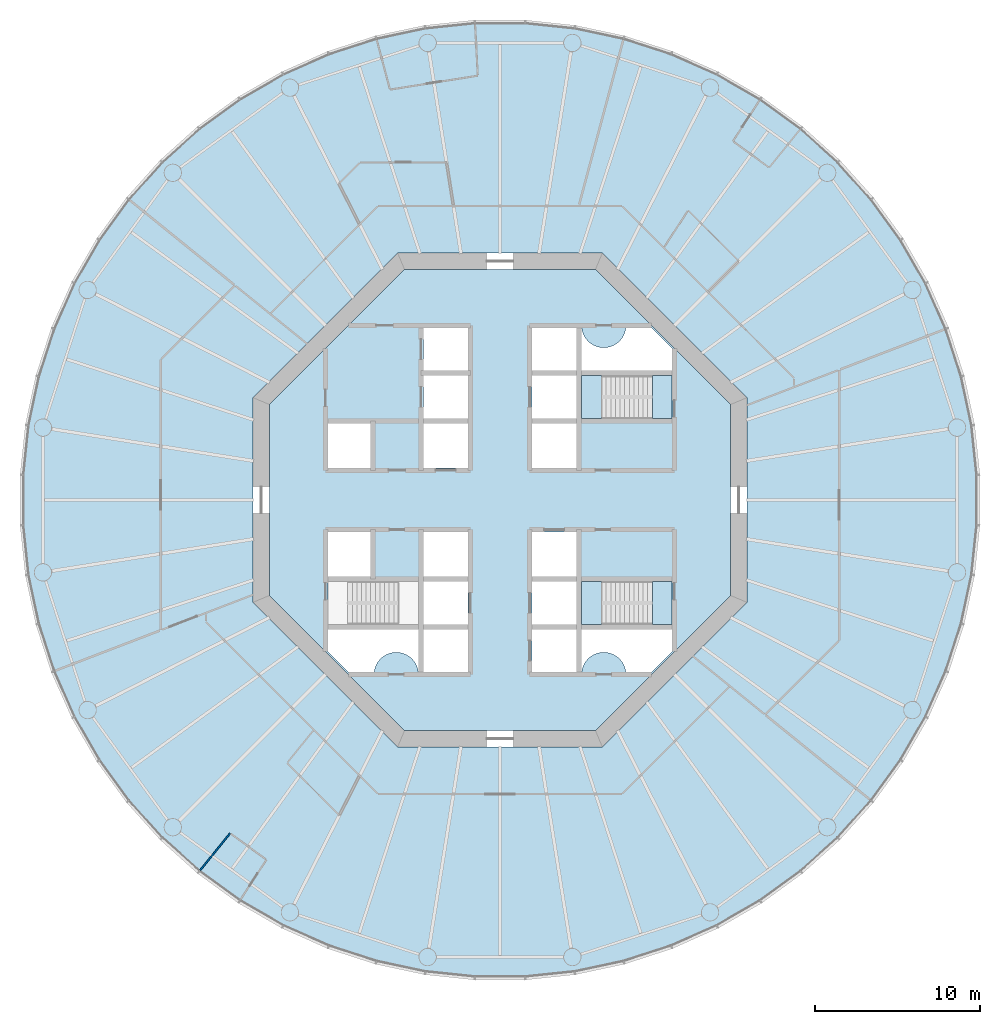
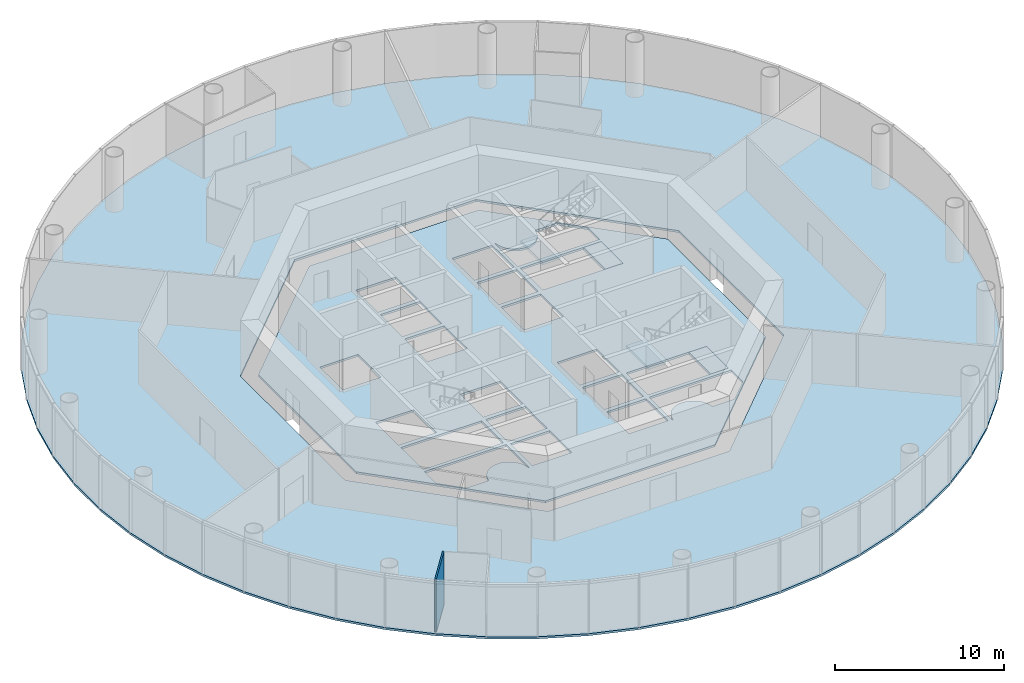
# One storey, part 2 of 12: 6 slabs, 1 wall, 2 elements without a shape of their own.
"""IFC4 building model written with IfcOpenShell, lengths in metres."""

from ifc_helpers import new_model, si_unit, direction, frame, frame_2d, origin, place, context, subcontext, project, spatial, polyline, rectangle, outline, extrude, material, layer, layer_set, type_object, element, aggregate, save


model = new_model("IFC4")

# Units and contexts
model_context = context("Model", 3, precision=1e-05, world=origin(), true_north=direction((0.0, 1.0)))
body_context = subcontext(model_context, "Body", "Model", "MODEL_VIEW")
ifc_project = project(units=[si_unit("LENGTHUNIT", "METRE"), si_unit("AREAUNIT", "SQUARE_METRE"), si_unit("VOLUMEUNIT", "CUBIC_METRE"), si_unit("PLANEANGLEUNIT", "RADIAN"), si_unit("MASSUNIT", "GRAM", prefix="KILO")], contexts=[model_context])

# Site, building, storey
site_placement = place(None, origin())
site = spatial("IfcSite", under=ifc_project, at=site_placement, CompositionType="ELEMENT")
building_placement = place(site_placement, origin())
building = spatial("IfcBuilding", under=site, at=building_placement, Name="Entoto Ring Tower", CompositionType="ELEMENT")
storey_placement = place(building_placement, frame((0.0, 0.0, 152.0)))
storey = spatial("IfcBuildingStorey", under=building, at=storey_placement, Name="L34", CompositionType="ELEMENT", Elevation=152.0)

# Slabs
ifc_material_1 = material(Name="Concrete C30/37", Category="concrete")
ifc_layer_1 = layer(ifc_material_1, 0.14990234375)
ifc_layer_set_1 = layer_set([ifc_layer_1], Name="Concrete C30/37")
slab_type_1 = type_object("IfcSlabType", Name="Composite floor slab 150 mm", PredefinedType="FLOOR", material=ifc_layer_set_1)
slab_1_placement = place(storey_placement, frame((0.0, 0.0, -0.14990234375)))
element("IfcSlab", 1, at=slab_1_placement, inside=storey, type_object=slab_type_1, Name="Floor slab L34", PredefinedType="FLOOR", context=body_context, shape_type="SweptSolid", body=[
    extrude(outline(polyline([(118.74169921875, 84.55224609375), (118.1083984375, 87.53173828125), (117.167236328125, 90.428466796875), (115.92822265625, 93.211181640625), (114.4052734375, 95.848876953125), (112.614990234375, 98.313232421875), (110.576904296875, 100.576904296875), (108.313232421875, 102.614990234375), (105.848876953125, 104.4052734375), (103.211181640625, 105.92822265625), (100.428466796875, 107.167236328125), (97.53173828125, 108.1083984375), (94.55224609375, 108.74169921875), (91.52294921875, 109.06005859375), (88.47705078125, 109.06005859375), (85.44775390625, 108.74169921875), (82.46826171875, 108.1083984375), (79.571533203125, 107.167236328125), (76.788818359375, 105.92822265625), (74.151123046875, 104.4052734375), (71.686767578125, 102.614990234375), (69.423095703125, 100.576904296875), (67.385009765625, 98.313232421875), (65.5947265625, 95.848876953125), (64.07177734375, 93.211181640625), (62.832763671875, 90.428466796875), (61.8916015625, 87.53173828125), (61.25830078125, 84.55224609375), (60.93994140625, 81.52294921875), (60.93994140625, 78.47705078125), (61.25830078125, 75.44775390625), (61.8916015625, 72.46826171875), (62.832763671875, 69.571533203125), (64.07177734375, 66.788818359375), (65.5947265625, 64.151123046875), (67.385009765625, 61.686767578125), (69.423095703125, 59.423095703125), (71.686767578125, 57.385009765625), (74.151123046875, 55.5947265625), (76.788818359375, 54.07177734375), (79.571533203125, 52.832763671875), (82.46826171875, 51.8916015625), (85.44775390625, 51.25830078125), (88.47705078125, 50.93994140625), (91.52294921875, 50.93994140625), (94.55224609375, 51.25830078125), (97.53173828125, 51.8916015625), (100.428466796875, 52.832763671875), (103.211181640625, 54.07177734375), (105.848876953125, 55.5947265625), (108.313232421875, 57.385009765625), (110.576904296875, 59.423095703125), (112.614990234375, 61.686767578125), (114.4052734375, 64.151123046875), (115.92822265625, 66.788818359375), (117.167236328125, 69.571533203125), (118.1083984375, 72.46826171875), (118.74169921875, 75.44775390625), (119.06005859375, 78.47705078125), (119.06005859375, 81.52294921875), (118.74169921875, 84.55224609375)]), holes=[polyline([(105.0, 73.786865234375), (105.0, 86.213134765625), (96.213134765625, 95.0), (83.786865234375, 95.0), (75.0, 86.213134765625), (75.0, 73.786865234375), (83.786865234375, 65.0), (96.213134765625, 65.0), (105.0, 73.786865234375)])]), origin(), (0.0, 0.0, 1.0), 0.14990234375),
])
ifc_material_2 = material(Name="Concrete C40/50", Category="concrete")
ifc_layer_2 = layer(ifc_material_2, 0.14990234375)
ifc_layer_set_2 = layer_set([ifc_layer_2], Name="Concrete C40/50")
slab_type_2 = type_object("IfcSlabType", Name="Core floor slab 150 mm reinforced concrete C40/50", PredefinedType="FLOOR", material=ifc_layer_set_2)
slab_2_placement = place(storey_placement, frame((0.0, 0.0, -0.14990234375)))
element("IfcSlab", 2, at=slab_2_placement, inside=storey, type_object=slab_type_2, Name="Core floor L34", PredefinedType="FLOOR", context=body_context, shape_type="SweptSolid", body=[
    extrude(outline(polyline([(104.0, 74.200927734375), (104.0, 85.799072265625), (95.799072265625, 94.0), (84.200927734375, 94.0), (76.0, 85.799072265625), (76.0, 74.200927734375), (84.200927734375, 66.0), (95.799072265625, 66.0), (104.0, 74.200927734375)]), holes=[polyline([(100.449951171875, 84.949951171875), (100.449951171875, 87.550048828125), (94.949951171875, 87.550048828125), (94.949951171875, 84.949951171875), (100.449951171875, 84.949951171875)]), polyline([(85.050048828125, 72.449951171875), (85.050048828125, 75.050048828125), (79.550048828125, 75.050048828125), (79.550048828125, 72.449951171875), (85.050048828125, 72.449951171875)]), polyline([(100.449951171875, 72.449951171875), (100.449951171875, 75.050048828125), (94.949951171875, 75.050048828125), (94.949951171875, 72.449951171875), (100.449951171875, 72.449951171875)]), polyline([(91.949951171875, 84.949951171875), (94.64990234375, 84.949951171875), (94.64990234375, 87.550048828125), (91.949951171875, 87.550048828125), (91.949951171875, 84.949951171875)]), polyline([(91.949951171875, 72.449951171875), (94.64990234375, 72.449951171875), (94.64990234375, 75.050048828125), (91.949951171875, 75.050048828125), (91.949951171875, 72.449951171875)]), polyline([(91.949951171875, 69.550048828125), (94.64990234375, 69.550048828125), (94.64990234375, 72.14990234375), (91.949951171875, 72.14990234375), (91.949951171875, 69.550048828125)]), polyline([(85.35009765625, 72.449951171875), (88.050048828125, 72.449951171875), (88.050048828125, 75.050048828125), (85.35009765625, 75.050048828125), (85.35009765625, 72.449951171875)]), polyline([(85.35009765625, 81.949951171875), (88.050048828125, 81.949951171875), (88.050048828125, 84.64990234375), (85.35009765625, 84.64990234375), (85.35009765625, 81.949951171875)]), polyline([(91.949951171875, 75.35009765625), (94.64990234375, 75.35009765625), (94.64990234375, 78.050048828125), (91.949951171875, 78.050048828125), (91.949951171875, 75.35009765625)]), polyline([(79.550048828125, 81.949951171875), (82.14990234375, 81.949951171875), (82.14990234375, 84.64990234375), (79.550048828125, 84.64990234375), (79.550048828125, 81.949951171875)]), polyline([(79.550048828125, 75.35009765625), (82.14990234375, 75.35009765625), (82.14990234375, 78.050048828125), (79.550048828125, 78.050048828125), (79.550048828125, 75.35009765625)]), polyline([(91.949951171875, 87.85009765625), (94.64990234375, 87.85009765625), (94.64990234375, 90.449951171875), (91.949951171875, 90.449951171875), (91.949951171875, 87.85009765625)]), polyline([(85.35009765625, 69.550048828125), (88.050048828125, 69.550048828125), (88.050048828125, 72.14990234375), (85.35009765625, 72.14990234375), (85.35009765625, 69.550048828125)]), polyline([(91.949951171875, 81.949951171875), (94.64990234375, 81.949951171875), (94.64990234375, 84.64990234375), (91.949951171875, 84.64990234375), (91.949951171875, 81.949951171875)]), polyline([(85.35009765625, 75.35009765625), (88.050048828125, 75.35009765625), (88.050048828125, 78.050048828125), (85.35009765625, 78.050048828125), (85.35009765625, 75.35009765625)]), polyline([(85.35009765625, 84.949951171875), (88.050048828125, 84.949951171875), (88.050048828125, 87.550048828125), (85.35009765625, 87.550048828125), (85.35009765625, 84.949951171875)]), polyline([(85.35009765625, 87.85009765625), (88.050048828125, 87.85009765625), (88.050048828125, 90.449951171875), (85.35009765625, 90.449951171875), (85.35009765625, 87.85009765625)]), polyline([(94.89990234375, 90.5), (94.89990234375, 87.800048828125), (100.5, 87.800048828125), (100.5, 89.15771484375), (99.15771484375, 90.5), (97.64501953125, 90.5), (97.6435546875, 90.4677734375), (97.6240234375, 90.336669921875), (97.591796875, 90.2080078125), (97.547119140625, 90.08349609375), (97.490478515625, 89.963623046875), (97.422607421875, 89.85009765625), (97.343505859375, 89.74365234375), (97.254638671875, 89.6455078125), (97.156494140625, 89.556396484375), (97.050048828125, 89.4775390625), (96.936279296875, 89.409423828125), (96.816650390625, 89.352783203125), (96.69189453125, 89.30810546875), (96.5634765625, 89.27587890625), (96.432373046875, 89.256591796875), (96.300048828125, 89.25), (96.167724609375, 89.256591796875), (96.03662109375, 89.27587890625), (95.908203125, 89.30810546875), (95.783447265625, 89.352783203125), (95.66357421875, 89.409423828125), (95.550048828125, 89.4775390625), (95.443603515625, 89.556396484375), (95.345458984375, 89.6455078125), (95.25634765625, 89.74365234375), (95.177490234375, 89.85009765625), (95.109375, 89.963623046875), (95.052734375, 90.08349609375), (95.008056640625, 90.2080078125), (94.975830078125, 90.336669921875), (94.95654296875, 90.4677734375), (94.954833984375, 90.5), (94.89990234375, 90.5)]), polyline([(79.5, 70.84228515625), (80.84228515625, 69.5), (82.35498046875, 69.5), (82.3564453125, 69.5322265625), (82.3759765625, 69.663330078125), (82.408203125, 69.7919921875), (82.452880859375, 69.91650390625), (82.509521484375, 70.036376953125), (82.577392578125, 70.14990234375), (82.656494140625, 70.25634765625), (82.745361328125, 70.3544921875), (82.843505859375, 70.443603515625), (82.949951171875, 70.5224609375), (83.063720703125, 70.590576171875), (83.183349609375, 70.647216796875), (83.30810546875, 70.69189453125), (83.4365234375, 70.72412109375), (83.567626953125, 70.743408203125), (83.699951171875, 70.75), (83.832275390625, 70.743408203125), (83.96337890625, 70.72412109375), (84.091796875, 70.69189453125), (84.216552734375, 70.647216796875), (84.33642578125, 70.590576171875), (84.449951171875, 70.5224609375), (84.556396484375, 70.443603515625), (84.654541015625, 70.3544921875), (84.74365234375, 70.25634765625), (84.822509765625, 70.14990234375), (84.890625, 70.036376953125), (84.947265625, 69.91650390625), (84.991943359375, 69.7919921875), (85.024169921875, 69.663330078125), (85.04345703125, 69.5322265625), (85.045166015625, 69.5), (85.10009765625, 69.5), (85.10009765625, 72.199951171875), (79.5, 72.199951171875), (79.5, 70.84228515625)]), polyline([(97.64501953125, 69.5), (99.15771484375, 69.5), (100.5, 70.84228515625), (100.5, 72.199951171875), (94.89990234375, 72.199951171875), (94.89990234375, 69.5), (94.954833984375, 69.5), (94.95654296875, 69.5322265625), (94.975830078125, 69.663330078125), (95.008056640625, 69.7919921875), (95.052734375, 69.91650390625), (95.109375, 70.036376953125), (95.177490234375, 70.14990234375), (95.25634765625, 70.25634765625), (95.345458984375, 70.3544921875), (95.443603515625, 70.443603515625), (95.550048828125, 70.5224609375), (95.66357421875, 70.590576171875), (95.783447265625, 70.647216796875), (95.908203125, 70.69189453125), (96.03662109375, 70.72412109375), (96.167724609375, 70.743408203125), (96.300048828125, 70.75), (96.432373046875, 70.743408203125), (96.5634765625, 70.72412109375), (96.69189453125, 70.69189453125), (96.816650390625, 70.647216796875), (96.936279296875, 70.590576171875), (97.050048828125, 70.5224609375), (97.156494140625, 70.443603515625), (97.254638671875, 70.3544921875), (97.343505859375, 70.25634765625), (97.422607421875, 70.14990234375), (97.490478515625, 70.036376953125), (97.547119140625, 69.91650390625), (97.591796875, 69.7919921875), (97.6240234375, 69.663330078125), (97.6435546875, 69.5322265625), (97.64501953125, 69.5)])]), origin(), (0.0, 0.0, 1.0), 0.14990234375),
])

# Stair, slabs
ifc_material_3 = material(Name="Concrete C40/50", Category="concrete")
stair_type = type_object("IfcStairType", Name="Exit stair 1200 mm dog-leg reinforced concrete", PredefinedType="HALF_TURN_STAIR", material=ifc_material_3)
stair_1_placement = place(storey_placement, origin())
stair_1 = element("IfcStair", 3, at=stair_1_placement, inside=storey, type_object=stair_type, Name="Exit stair 1", PredefinedType="HALF_TURN_STAIR")
ifc_material_4 = material(Name="Concrete C40/50", Category="concrete")
ifc_layer_3 = layer(ifc_material_4, 0.199951171875)
ifc_layer_set_3 = layer_set([ifc_layer_3], Name="Concrete C40/50")
slab_type_3 = type_object("IfcSlabType", Name="Stair landing 200 mm reinforced concrete", PredefinedType="LANDING", material=ifc_layer_set_3)
slab_3_placement = place(storey_placement, frame((0.0, 0.0, -0.199951171875)))
slab_3 = element("IfcSlab", 4, at=slab_3_placement, type_object=slab_type_3, Name="ST1 landing 1", PredefinedType="LANDING", context=body_context, shape_type="SweptSolid", body=[
    extrude(outline(polyline([(100.449951171875, 84.949951171875), (100.449951171875, 87.550048828125), (99.25, 87.550048828125), (99.25, 84.949951171875), (100.449951171875, 84.949951171875)])), origin(), (0.0, 0.0, 1.0), 0.199951171875),
])
slab_4_placement = place(storey_placement, frame((0.0, 0.0, 1.800048828125)))
slab_4 = element("IfcSlab", 5, at=slab_4_placement, type_object=slab_type_3, Name="ST1 landing 2", PredefinedType="LANDING", context=body_context, shape_type="SweptSolid", body=[
    extrude(outline(polyline([(94.949951171875, 84.949951171875), (96.169921875, 84.949951171875), (96.169921875, 87.550048828125), (94.949951171875, 87.550048828125), (94.949951171875, 84.949951171875)])), origin(), (0.0, 0.0, 1.0), 0.199951171875),
])
aggregate(stair_1, [slab_3, slab_4])

stair_2_placement = place(storey_placement, origin())
stair_2 = element("IfcStair", 6, at=stair_2_placement, inside=storey, type_object=stair_type, Name="Exit stair 3", PredefinedType="HALF_TURN_STAIR")
slab_5_placement = place(storey_placement, frame((0.0, 0.0, -0.199951171875)))
slab_5 = element("IfcSlab", 7, at=slab_5_placement, type_object=slab_type_3, Name="ST3 landing 1", PredefinedType="LANDING", context=body_context, shape_type="SweptSolid", body=[
    extrude(outline(polyline([(100.449951171875, 72.449951171875), (100.449951171875, 75.050048828125), (99.25, 75.050048828125), (99.25, 72.449951171875), (100.449951171875, 72.449951171875)])), origin(), (0.0, 0.0, 1.0), 0.199951171875),
])
slab_6_placement = place(storey_placement, frame((0.0, 0.0, 1.800048828125)))
slab_6 = element("IfcSlab", 8, at=slab_6_placement, type_object=slab_type_3, Name="ST3 landing 2", PredefinedType="LANDING", context=body_context, shape_type="SweptSolid", body=[
    extrude(outline(polyline([(94.949951171875, 72.449951171875), (96.169921875, 72.449951171875), (96.169921875, 75.050048828125), (94.949951171875, 75.050048828125), (94.949951171875, 72.449951171875)])), origin(), (0.0, 0.0, 1.0), 0.199951171875),
])
aggregate(stair_2, [slab_5, slab_6])

# Wall
ifc_material_5 = material(Name="Plasterboard on steel studs", Category="steel")
ifc_layer_4 = layer(ifc_material_5, 0.10009765625)
ifc_layer_set_4 = layer_set([ifc_layer_4], Name="Plasterboard on steel studs")
wall_type = type_object("IfcWallType", Name="Partition 100 mm plasterboard on steel studs", PredefinedType="PARTITIONING", material=ifc_layer_set_4)
wall_placement = place(storey_placement, frame((71.78759765625, 57.509521484375, 0.0), z_axis=(0.0, 0.0, 1.0), x_axis=(0.62931447196, 0.777150754604, 0.0)))
element("IfcWall", 9, at=wall_placement, inside=storey, type_object=wall_type, Name="partition-L34-031", PredefinedType="PARTITIONING", context=body_context, shape_type="SweptSolid", body=[
    extrude(rectangle(XDim=2.89990234375, YDim=0.10009765625, at=frame_2d((1.449951171875, 0.0))), origin(), (0.0, 0.0, 1.0), 3.85009765625),
])

save(model, "model.ifc")
